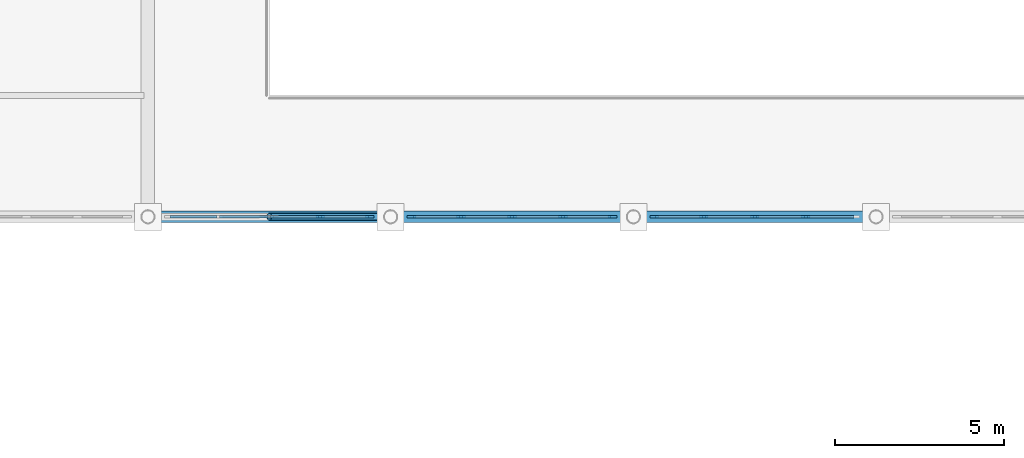
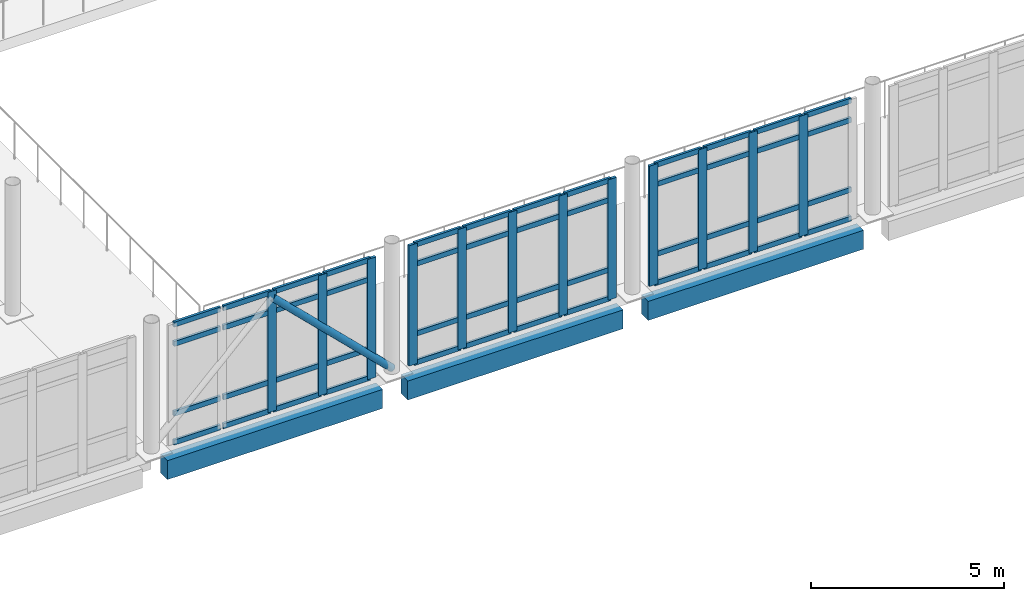
# One storey, part 12 of 62: 61 members, 3 beams, 3 elements without a shape of their own.
"""IFC4 building model written with IfcOpenShell, lengths in metres."""

from ifc_helpers import new_model, si_unit, direction, frame, origin, origin_2d, place, context, subcontext, project, spatial, rectangle, hollow_circle, extrude, material, layer, layer_set, material_profile, profile_set, type_object, element, aggregate, save


model = new_model("IFC4")

# Units and contexts
model_context = context("Model", 3, precision=1e-05, world=origin(), true_north=direction((0.0, 1.0)))
body_context = subcontext(model_context, "Body", "Model", "MODEL_VIEW")
ifc_project = project(units=[si_unit("LENGTHUNIT", "METRE"), si_unit("AREAUNIT", "SQUARE_METRE"), si_unit("VOLUMEUNIT", "CUBIC_METRE"), si_unit("PLANEANGLEUNIT", "RADIAN"), si_unit("MASSUNIT", "GRAM", prefix="KILO")], contexts=[model_context])

# Site, building, storey
site_placement = place(None, origin())
site = spatial("IfcSite", under=ifc_project, at=site_placement, CompositionType="ELEMENT")
building_placement = place(site_placement, origin())
building = spatial("IfcBuilding", under=site, at=building_placement, Name="Valkovuoma Quantum and Materials Research Institute", CompositionType="ELEMENT")
storey_placement = place(building_placement, frame((0.0, 0.0, 8.9599609375)))
storey = spatial("IfcBuildingStorey", under=building, at=storey_placement, Name="L02", CompositionType="ELEMENT", Elevation=8.9599609375)

# Beams
ifc_material_1 = material(Name="Concrete C40/50", Category="concrete")
ifc_material_profile_1 = material_profile(ifc_material_1, rectangle(XDim=0.35009765625, YDim=0.60009765625, at=origin_2d()), Name="Concrete C40/50")
ifc_profile_set_1 = profile_set([ifc_material_profile_1], Name="Concrete C40/50")
beam_type = type_object("IfcBeamType", Name="Beam-B-SPN600", PredefinedType="SPANDREL", material=ifc_profile_set_1)
beam_1_placement = place(storey_placement, frame((43.574951171875, 36.0, -0.64990234375), z_axis=(1.0, 0.0, 0.0), x_axis=(0.0, 1.0, 0.0)))
element("IfcBeam", 1, at=beam_1_placement, inside=storey, type_object=beam_type, Name="L02 beam X-1005", PredefinedType="SPANDREL", context=body_context, shape_type="SweptSolid", body=[
    extrude(rectangle(XDim=0.35009765625, YDim=0.60009765625, at=origin_2d()), origin(), (0.0, 0.0, 1.0), 6.449951171875),
])
beam_2_placement = place(storey_placement, frame((50.77490234375, 36.0, -0.64990234375), z_axis=(1.0, 0.0, 0.0), x_axis=(0.0, 1.0, 0.0)))
element("IfcBeam", 2, at=beam_2_placement, inside=storey, type_object=beam_type, Name="L02 beam X-1006", PredefinedType="SPANDREL", context=body_context, shape_type="SweptSolid", body=[
    extrude(rectangle(XDim=0.35009765625, YDim=0.60009765625, at=origin_2d()), origin(), (0.0, 0.0, 1.0), 6.4501953125),
])
beam_3_placement = place(storey_placement, frame((57.97509765625, 36.0, -0.64990234375), z_axis=(1.0, 0.0, 0.0), x_axis=(0.0, 1.0, 0.0)))
element("IfcBeam", 3, at=beam_3_placement, inside=storey, type_object=beam_type, Name="L02 beam X-1007", PredefinedType="SPANDREL", context=body_context, shape_type="SweptSolid", body=[
    extrude(rectangle(XDim=0.35009765625, YDim=0.60009765625, at=origin_2d()), origin(), (0.0, 0.0, 1.0), 6.449951171875),
])

# Curtain wall, members
ifc_material_2 = material(Name="Thermally broken aluminium and triple low-E glazing", Category="aluminium")
ifc_layer = layer(ifc_material_2, 0.219970703125)
ifc_layer_set = layer_set([ifc_layer], Name="Thermally broken aluminium and triple low-E glazing")
curtain_wall_type = type_object("IfcCurtainWallType", Name="CW-CW-02", PredefinedType="NOTDEFINED", material=ifc_layer_set)
curtain_wall_1_placement = place(storey_placement, origin())
curtain_wall_1 = element("IfcCurtainWall", 4, at=curtain_wall_1_placement, inside=storey, type_object=curtain_wall_type, Name="L02 curtain wall 183", PredefinedType="NOTDEFINED")
ifc_material_3 = material(Name="Anodised aluminium 6060-T66", Category="aluminium")
ifc_material_profile_2 = material_profile(ifc_material_3, rectangle(XDim=0.080078125, YDim=0.260009765625, at=origin_2d()), Name="Anodised aluminium 6060-T66")
ifc_profile_set_2 = profile_set([ifc_material_profile_2], Name="Anodised aluminium 6060-T66")
member_type_1 = type_object("IfcMemberType", Name="CWMull-CWM-03", PredefinedType="MULLION", material=ifc_profile_set_2)
member_1_placement = place(storey_placement, frame((46.800048828125, 36.0, 0.0), z_axis=(0.0, 0.0, 1.0), x_axis=(0.0, 1.0, 0.0)))
member_1 = element("IfcMember", 5, at=member_1_placement, type_object=member_type_1, Name="CW-02 mullion 3", PredefinedType="MULLION", context=body_context, shape_type="SweptSolid", body=[
    extrude(rectangle(XDim=0.080078125, YDim=0.260009765625, at=origin_2d()), origin(), (0.0, 0.0, 1.0), 3.81005859375),
])
member_2_placement = place(storey_placement, frame((48.31005859375, 36.0, 0.0), z_axis=(0.0, 0.0, 1.0), x_axis=(0.0, 1.0, 0.0)))
member_2 = element("IfcMember", 6, at=member_2_placement, type_object=member_type_1, Name="CW-02 mullion 4", PredefinedType="MULLION", context=body_context, shape_type="SweptSolid", body=[
    extrude(rectangle(XDim=0.080078125, YDim=0.260009765625, at=origin_2d()), origin(), (0.0, 0.0, 1.0), 3.81005859375),
])
member_3_placement = place(storey_placement, frame((49.780029296875, 36.0, 0.0), z_axis=(0.0, 0.0, 1.0), x_axis=(0.0, 1.0, 0.0)))
member_3 = element("IfcMember", 7, at=member_3_placement, type_object=member_type_1, Name="CW-02 mullion 5", PredefinedType="MULLION", context=body_context, shape_type="SweptSolid", body=[
    extrude(rectangle(XDim=0.080078125, YDim=0.260009765625, at=origin_2d()), origin(), (0.0, 0.0, 1.0), 3.81005859375),
])

curtain_wall_2_placement = place(storey_placement, origin())
curtain_wall_2 = element("IfcCurtainWall", 8, at=curtain_wall_2_placement, inside=storey, type_object=curtain_wall_type, Name="L02 curtain wall 184", PredefinedType="NOTDEFINED")
member_4_placement = place(storey_placement, frame((51.02001953125, 36.0, 0.0), z_axis=(0.0, 0.0, 1.0), x_axis=(0.0, 1.0, 0.0)))
member_4 = element("IfcMember", 9, at=member_4_placement, type_object=member_type_1, Name="CW-02 mullion 1", PredefinedType="MULLION", context=body_context, shape_type="SweptSolid", body=[
    extrude(rectangle(XDim=0.080078125, YDim=0.260009765625, at=origin_2d()), origin(), (0.0, 0.0, 1.0), 3.81005859375),
])
member_5_placement = place(storey_placement, frame((52.489990234375, 36.0, 0.0), z_axis=(0.0, 0.0, 1.0), x_axis=(0.0, 1.0, 0.0)))
member_5 = element("IfcMember", 10, at=member_5_placement, type_object=member_type_1, Name="CW-02 mullion 2", PredefinedType="MULLION", context=body_context, shape_type="SweptSolid", body=[
    extrude(rectangle(XDim=0.080078125, YDim=0.260009765625, at=origin_2d()), origin(), (0.0, 0.0, 1.0), 3.81005859375),
])
member_6_placement = place(storey_placement, frame((54.0, 36.0, 0.0), z_axis=(0.0, 0.0, 1.0), x_axis=(0.0, 1.0, 0.0)))
member_6 = element("IfcMember", 11, at=member_6_placement, type_object=member_type_1, Name="CW-02 mullion 3", PredefinedType="MULLION", context=body_context, shape_type="SweptSolid", body=[
    extrude(rectangle(XDim=0.080078125, YDim=0.260009765625, at=origin_2d()), origin(), (0.0, 0.0, 1.0), 3.81005859375),
])
member_7_placement = place(storey_placement, frame((55.510009765625, 36.0, 0.0), z_axis=(0.0, 0.0, 1.0), x_axis=(0.0, 1.0, 0.0)))
member_7 = element("IfcMember", 12, at=member_7_placement, type_object=member_type_1, Name="CW-02 mullion 4", PredefinedType="MULLION", context=body_context, shape_type="SweptSolid", body=[
    extrude(rectangle(XDim=0.080078125, YDim=0.260009765625, at=origin_2d()), origin(), (0.0, 0.0, 1.0), 3.81005859375),
])
member_8_placement = place(storey_placement, frame((56.97998046875, 36.0, 0.0), z_axis=(0.0, 0.0, 1.0), x_axis=(0.0, 1.0, 0.0)))
member_8 = element("IfcMember", 13, at=member_8_placement, type_object=member_type_1, Name="CW-02 mullion 5", PredefinedType="MULLION", context=body_context, shape_type="SweptSolid", body=[
    extrude(rectangle(XDim=0.080078125, YDim=0.260009765625, at=origin_2d()), origin(), (0.0, 0.0, 1.0), 3.81005859375),
])

curtain_wall_3_placement = place(storey_placement, origin())
curtain_wall_3 = element("IfcCurtainWall", 14, at=curtain_wall_3_placement, inside=storey, type_object=curtain_wall_type, Name="L02 curtain wall 185", PredefinedType="NOTDEFINED")
member_9_placement = place(storey_placement, frame((58.219970703125, 36.0, 0.0), z_axis=(0.0, 0.0, 1.0), x_axis=(0.0, 1.0, 0.0)))
member_9 = element("IfcMember", 15, at=member_9_placement, type_object=member_type_1, Name="CW-02 mullion 1", PredefinedType="MULLION", context=body_context, shape_type="SweptSolid", body=[
    extrude(rectangle(XDim=0.080078125, YDim=0.260009765625, at=origin_2d()), origin(), (0.0, 0.0, 1.0), 3.81005859375),
])
member_10_placement = place(storey_placement, frame((59.68994140625, 36.0, 0.0), z_axis=(0.0, 0.0, 1.0), x_axis=(0.0, 1.0, 0.0)))
member_10 = element("IfcMember", 16, at=member_10_placement, type_object=member_type_1, Name="CW-02 mullion 2", PredefinedType="MULLION", context=body_context, shape_type="SweptSolid", body=[
    extrude(rectangle(XDim=0.080078125, YDim=0.260009765625, at=origin_2d()), origin(), (0.0, 0.0, 1.0), 3.81005859375),
])
member_11_placement = place(storey_placement, frame((61.199951171875, 36.0, 0.0), z_axis=(0.0, 0.0, 1.0), x_axis=(0.0, 1.0, 0.0)))
member_11 = element("IfcMember", 17, at=member_11_placement, type_object=member_type_1, Name="CW-02 mullion 3", PredefinedType="MULLION", context=body_context, shape_type="SweptSolid", body=[
    extrude(rectangle(XDim=0.080078125, YDim=0.260009765625, at=origin_2d()), origin(), (0.0, 0.0, 1.0), 3.81005859375),
])
member_12_placement = place(storey_placement, frame((62.7099609375, 36.0, 0.0), z_axis=(0.0, 0.0, 1.0), x_axis=(0.0, 1.0, 0.0)))
member_12 = element("IfcMember", 18, at=member_12_placement, type_object=member_type_1, Name="CW-02 mullion 4", PredefinedType="MULLION", context=body_context, shape_type="SweptSolid", body=[
    extrude(rectangle(XDim=0.080078125, YDim=0.260009765625, at=origin_2d()), origin(), (0.0, 0.0, 1.0), 3.81005859375),
])

# Member
ifc_material_4 = material(Name="Anodised aluminium 6060-T66", Category="aluminium")
ifc_material_profile_3 = material_profile(ifc_material_4, rectangle(XDim=0.074951171875, YDim=0.159912109375, at=origin_2d()), Name="Anodised aluminium 6060-T66")
ifc_profile_set_3 = profile_set([ifc_material_profile_3], Name="Anodised aluminium 6060-T66")
member_type_2 = type_object("IfcMemberType", Name="CWTran-CWT-02", PredefinedType="USERDEFINED", material=ifc_profile_set_3)
member_13_placement = place(storey_placement, frame((43.860107421875, 36.0, 0.03759765625), z_axis=(1.0, 0.0, 0.0), x_axis=(0.0, 1.0, 0.0)))
member_13 = element("IfcMember", 19, at=member_13_placement, type_object=member_type_2, Name="CW-02 transom 1.1", ObjectType="TRANSOM", PredefinedType="USERDEFINED", context=body_context, shape_type="SweptSolid", body=[
    extrude(rectangle(XDim=0.074951171875, YDim=0.159912109375, at=origin_2d()), origin(), (0.0, 0.0, 1.0), 1.389892578125),
])

member_14_placement = place(storey_placement, frame((43.860107421875, 36.0, 0.949951171875), z_axis=(1.0, 0.0, 0.0), x_axis=(0.0, 1.0, 0.0)))
member_14 = element("IfcMember", 20, at=member_14_placement, type_object=member_type_2, Name="CW-02 transom 1.2", ObjectType="TRANSOM", PredefinedType="USERDEFINED", context=body_context, shape_type="SweptSolid", body=[
    extrude(rectangle(XDim=0.074951171875, YDim=0.159912109375, at=origin_2d()), origin(), (0.0, 0.0, 1.0), 1.389892578125),
])

member_15_placement = place(storey_placement, frame((43.860107421875, 36.0, 3.16015625), z_axis=(1.0, 0.0, 0.0), x_axis=(0.0, 1.0, 0.0)))
member_15 = element("IfcMember", 21, at=member_15_placement, type_object=member_type_2, Name="CW-02 transom 1.3", ObjectType="TRANSOM", PredefinedType="USERDEFINED", context=body_context, shape_type="SweptSolid", body=[
    extrude(rectangle(XDim=0.074951171875, YDim=0.159912109375, at=origin_2d()), origin(), (0.0, 0.0, 1.0), 1.389892578125),
])

member_16_placement = place(storey_placement, frame((43.860107421875, 36.0, 3.7724609375), z_axis=(1.0, 0.0, 0.0), x_axis=(0.0, 1.0, 0.0)))
member_16 = element("IfcMember", 22, at=member_16_placement, type_object=member_type_2, Name="CW-02 transom 1.4", ObjectType="TRANSOM", PredefinedType="USERDEFINED", context=body_context, shape_type="SweptSolid", body=[
    extrude(rectangle(XDim=0.074951171875, YDim=0.159912109375, at=origin_2d()), origin(), (0.0, 0.0, 1.0), 1.389892578125),
])

member_17_placement = place(storey_placement, frame((45.330078125, 36.0, 0.03759765625), z_axis=(1.0, 0.0, 0.0), x_axis=(0.0, 1.0, 0.0)))
member_17 = element("IfcMember", 23, at=member_17_placement, type_object=member_type_2, Name="CW-02 transom 2.1", ObjectType="TRANSOM", PredefinedType="USERDEFINED", context=body_context, shape_type="SweptSolid", body=[
    extrude(rectangle(XDim=0.074951171875, YDim=0.159912109375, at=origin_2d()), origin(), (0.0, 0.0, 1.0), 1.429931640625),
])

member_18_placement = place(storey_placement, frame((45.330078125, 36.0, 0.949951171875), z_axis=(1.0, 0.0, 0.0), x_axis=(0.0, 1.0, 0.0)))
member_18 = element("IfcMember", 24, at=member_18_placement, type_object=member_type_2, Name="CW-02 transom 2.2", ObjectType="TRANSOM", PredefinedType="USERDEFINED", context=body_context, shape_type="SweptSolid", body=[
    extrude(rectangle(XDim=0.074951171875, YDim=0.159912109375, at=origin_2d()), origin(), (0.0, 0.0, 1.0), 1.429931640625),
])

member_19_placement = place(storey_placement, frame((45.330078125, 36.0, 3.16015625), z_axis=(1.0, 0.0, 0.0), x_axis=(0.0, 1.0, 0.0)))
member_19 = element("IfcMember", 25, at=member_19_placement, type_object=member_type_2, Name="CW-02 transom 2.3", ObjectType="TRANSOM", PredefinedType="USERDEFINED", context=body_context, shape_type="SweptSolid", body=[
    extrude(rectangle(XDim=0.074951171875, YDim=0.159912109375, at=origin_2d()), origin(), (0.0, 0.0, 1.0), 1.429931640625),
])

member_20_placement = place(storey_placement, frame((45.330078125, 36.0, 3.7724609375), z_axis=(1.0, 0.0, 0.0), x_axis=(0.0, 1.0, 0.0)))
member_20 = element("IfcMember", 26, at=member_20_placement, type_object=member_type_2, Name="CW-02 transom 2.4", ObjectType="TRANSOM", PredefinedType="USERDEFINED", context=body_context, shape_type="SweptSolid", body=[
    extrude(rectangle(XDim=0.074951171875, YDim=0.159912109375, at=origin_2d()), origin(), (0.0, 0.0, 1.0), 1.429931640625),
])

member_21_placement = place(storey_placement, frame((46.840087890625, 36.0, 0.03759765625), z_axis=(1.0, 0.0, 0.0), x_axis=(0.0, 1.0, 0.0)))
member_21 = element("IfcMember", 27, at=member_21_placement, type_object=member_type_2, Name="CW-02 transom 3.1", ObjectType="TRANSOM", PredefinedType="USERDEFINED", context=body_context, shape_type="SweptSolid", body=[
    extrude(rectangle(XDim=0.074951171875, YDim=0.159912109375, at=origin_2d()), origin(), (0.0, 0.0, 1.0), 1.429931640625),
])

member_22_placement = place(storey_placement, frame((46.840087890625, 36.0, 0.949951171875), z_axis=(1.0, 0.0, 0.0), x_axis=(0.0, 1.0, 0.0)))
member_22 = element("IfcMember", 28, at=member_22_placement, type_object=member_type_2, Name="CW-02 transom 3.2", ObjectType="TRANSOM", PredefinedType="USERDEFINED", context=body_context, shape_type="SweptSolid", body=[
    extrude(rectangle(XDim=0.074951171875, YDim=0.159912109375, at=origin_2d()), origin(), (0.0, 0.0, 1.0), 1.429931640625),
])

member_23_placement = place(storey_placement, frame((46.840087890625, 36.0, 3.16015625), z_axis=(1.0, 0.0, 0.0), x_axis=(0.0, 1.0, 0.0)))
member_23 = element("IfcMember", 29, at=member_23_placement, type_object=member_type_2, Name="CW-02 transom 3.3", ObjectType="TRANSOM", PredefinedType="USERDEFINED", context=body_context, shape_type="SweptSolid", body=[
    extrude(rectangle(XDim=0.074951171875, YDim=0.159912109375, at=origin_2d()), origin(), (0.0, 0.0, 1.0), 1.429931640625),
])

member_24_placement = place(storey_placement, frame((46.840087890625, 36.0, 3.7724609375), z_axis=(1.0, 0.0, 0.0), x_axis=(0.0, 1.0, 0.0)))
member_24 = element("IfcMember", 30, at=member_24_placement, type_object=member_type_2, Name="CW-02 transom 3.4", ObjectType="TRANSOM", PredefinedType="USERDEFINED", context=body_context, shape_type="SweptSolid", body=[
    extrude(rectangle(XDim=0.074951171875, YDim=0.159912109375, at=origin_2d()), origin(), (0.0, 0.0, 1.0), 1.429931640625),
])

member_25_placement = place(storey_placement, frame((48.35009765625, 36.0, 0.03759765625), z_axis=(1.0, 0.0, 0.0), x_axis=(0.0, 1.0, 0.0)))
member_25 = element("IfcMember", 31, at=member_25_placement, type_object=member_type_2, Name="CW-02 transom 4.1", ObjectType="TRANSOM", PredefinedType="USERDEFINED", context=body_context, shape_type="SweptSolid", body=[
    extrude(rectangle(XDim=0.074951171875, YDim=0.159912109375, at=origin_2d()), origin(), (0.0, 0.0, 1.0), 1.389892578125),
])

member_26_placement = place(storey_placement, frame((48.35009765625, 36.0, 0.949951171875), z_axis=(1.0, 0.0, 0.0), x_axis=(0.0, 1.0, 0.0)))
member_26 = element("IfcMember", 32, at=member_26_placement, type_object=member_type_2, Name="CW-02 transom 4.2", ObjectType="TRANSOM", PredefinedType="USERDEFINED", context=body_context, shape_type="SweptSolid", body=[
    extrude(rectangle(XDim=0.074951171875, YDim=0.159912109375, at=origin_2d()), origin(), (0.0, 0.0, 1.0), 1.389892578125),
])

member_27_placement = place(storey_placement, frame((48.35009765625, 36.0, 3.16015625), z_axis=(1.0, 0.0, 0.0), x_axis=(0.0, 1.0, 0.0)))
member_27 = element("IfcMember", 33, at=member_27_placement, type_object=member_type_2, Name="CW-02 transom 4.3", ObjectType="TRANSOM", PredefinedType="USERDEFINED", context=body_context, shape_type="SweptSolid", body=[
    extrude(rectangle(XDim=0.074951171875, YDim=0.159912109375, at=origin_2d()), origin(), (0.0, 0.0, 1.0), 1.389892578125),
])

member_28_placement = place(storey_placement, frame((48.35009765625, 36.0, 3.7724609375), z_axis=(1.0, 0.0, 0.0), x_axis=(0.0, 1.0, 0.0)))
member_28 = element("IfcMember", 34, at=member_28_placement, type_object=member_type_2, Name="CW-02 transom 4.4", ObjectType="TRANSOM", PredefinedType="USERDEFINED", context=body_context, shape_type="SweptSolid", body=[
    extrude(rectangle(XDim=0.074951171875, YDim=0.159912109375, at=origin_2d()), origin(), (0.0, 0.0, 1.0), 1.389892578125),
])

aggregate(curtain_wall_1, [member_1, member_2, member_3, member_13, member_14, member_15, member_16, member_17, member_18, member_19, member_20, member_21, member_22, member_23, member_24, member_25, member_26, member_27, member_28])

member_29_placement = place(storey_placement, frame((51.06005859375, 36.0, 0.03759765625), z_axis=(1.0, 0.0, 0.0), x_axis=(0.0, 1.0, 0.0)))
member_29 = element("IfcMember", 35, at=member_29_placement, type_object=member_type_2, Name="CW-02 transom 1.1", ObjectType="TRANSOM", PredefinedType="USERDEFINED", context=body_context, shape_type="SweptSolid", body=[
    extrude(rectangle(XDim=0.074951171875, YDim=0.159912109375, at=origin_2d()), origin(), (0.0, 0.0, 1.0), 1.389892578125),
])

member_30_placement = place(storey_placement, frame((51.06005859375, 36.0, 0.949951171875), z_axis=(1.0, 0.0, 0.0), x_axis=(0.0, 1.0, 0.0)))
member_30 = element("IfcMember", 36, at=member_30_placement, type_object=member_type_2, Name="CW-02 transom 1.2", ObjectType="TRANSOM", PredefinedType="USERDEFINED", context=body_context, shape_type="SweptSolid", body=[
    extrude(rectangle(XDim=0.074951171875, YDim=0.159912109375, at=origin_2d()), origin(), (0.0, 0.0, 1.0), 1.389892578125),
])

member_31_placement = place(storey_placement, frame((51.06005859375, 36.0, 3.16015625), z_axis=(1.0, 0.0, 0.0), x_axis=(0.0, 1.0, 0.0)))
member_31 = element("IfcMember", 37, at=member_31_placement, type_object=member_type_2, Name="CW-02 transom 1.3", ObjectType="TRANSOM", PredefinedType="USERDEFINED", context=body_context, shape_type="SweptSolid", body=[
    extrude(rectangle(XDim=0.074951171875, YDim=0.159912109375, at=origin_2d()), origin(), (0.0, 0.0, 1.0), 1.389892578125),
])

member_32_placement = place(storey_placement, frame((51.06005859375, 36.0, 3.7724609375), z_axis=(1.0, 0.0, 0.0), x_axis=(0.0, 1.0, 0.0)))
member_32 = element("IfcMember", 38, at=member_32_placement, type_object=member_type_2, Name="CW-02 transom 1.4", ObjectType="TRANSOM", PredefinedType="USERDEFINED", context=body_context, shape_type="SweptSolid", body=[
    extrude(rectangle(XDim=0.074951171875, YDim=0.159912109375, at=origin_2d()), origin(), (0.0, 0.0, 1.0), 1.389892578125),
])

member_33_placement = place(storey_placement, frame((52.530029296875, 36.0, 0.03759765625), z_axis=(1.0, 0.0, 0.0), x_axis=(0.0, 1.0, 0.0)))
member_33 = element("IfcMember", 39, at=member_33_placement, type_object=member_type_2, Name="CW-02 transom 2.1", ObjectType="TRANSOM", PredefinedType="USERDEFINED", context=body_context, shape_type="SweptSolid", body=[
    extrude(rectangle(XDim=0.074951171875, YDim=0.159912109375, at=origin_2d()), origin(), (0.0, 0.0, 1.0), 1.429931640625),
])

member_34_placement = place(storey_placement, frame((52.530029296875, 36.0, 0.949951171875), z_axis=(1.0, 0.0, 0.0), x_axis=(0.0, 1.0, 0.0)))
member_34 = element("IfcMember", 40, at=member_34_placement, type_object=member_type_2, Name="CW-02 transom 2.2", ObjectType="TRANSOM", PredefinedType="USERDEFINED", context=body_context, shape_type="SweptSolid", body=[
    extrude(rectangle(XDim=0.074951171875, YDim=0.159912109375, at=origin_2d()), origin(), (0.0, 0.0, 1.0), 1.429931640625),
])

member_35_placement = place(storey_placement, frame((52.530029296875, 36.0, 3.16015625), z_axis=(1.0, 0.0, 0.0), x_axis=(0.0, 1.0, 0.0)))
member_35 = element("IfcMember", 41, at=member_35_placement, type_object=member_type_2, Name="CW-02 transom 2.3", ObjectType="TRANSOM", PredefinedType="USERDEFINED", context=body_context, shape_type="SweptSolid", body=[
    extrude(rectangle(XDim=0.074951171875, YDim=0.159912109375, at=origin_2d()), origin(), (0.0, 0.0, 1.0), 1.429931640625),
])

member_36_placement = place(storey_placement, frame((52.530029296875, 36.0, 3.7724609375), z_axis=(1.0, 0.0, 0.0), x_axis=(0.0, 1.0, 0.0)))
member_36 = element("IfcMember", 42, at=member_36_placement, type_object=member_type_2, Name="CW-02 transom 2.4", ObjectType="TRANSOM", PredefinedType="USERDEFINED", context=body_context, shape_type="SweptSolid", body=[
    extrude(rectangle(XDim=0.074951171875, YDim=0.159912109375, at=origin_2d()), origin(), (0.0, 0.0, 1.0), 1.429931640625),
])

member_37_placement = place(storey_placement, frame((54.0400390625, 36.0, 0.03759765625), z_axis=(1.0, 0.0, 0.0), x_axis=(0.0, 1.0, 0.0)))
member_37 = element("IfcMember", 43, at=member_37_placement, type_object=member_type_2, Name="CW-02 transom 3.1", ObjectType="TRANSOM", PredefinedType="USERDEFINED", context=body_context, shape_type="SweptSolid", body=[
    extrude(rectangle(XDim=0.074951171875, YDim=0.159912109375, at=origin_2d()), origin(), (0.0, 0.0, 1.0), 1.429931640625),
])

member_38_placement = place(storey_placement, frame((54.0400390625, 36.0, 0.949951171875), z_axis=(1.0, 0.0, 0.0), x_axis=(0.0, 1.0, 0.0)))
member_38 = element("IfcMember", 44, at=member_38_placement, type_object=member_type_2, Name="CW-02 transom 3.2", ObjectType="TRANSOM", PredefinedType="USERDEFINED", context=body_context, shape_type="SweptSolid", body=[
    extrude(rectangle(XDim=0.074951171875, YDim=0.159912109375, at=origin_2d()), origin(), (0.0, 0.0, 1.0), 1.429931640625),
])

member_39_placement = place(storey_placement, frame((54.0400390625, 36.0, 3.16015625), z_axis=(1.0, 0.0, 0.0), x_axis=(0.0, 1.0, 0.0)))
member_39 = element("IfcMember", 45, at=member_39_placement, type_object=member_type_2, Name="CW-02 transom 3.3", ObjectType="TRANSOM", PredefinedType="USERDEFINED", context=body_context, shape_type="SweptSolid", body=[
    extrude(rectangle(XDim=0.074951171875, YDim=0.159912109375, at=origin_2d()), origin(), (0.0, 0.0, 1.0), 1.429931640625),
])

member_40_placement = place(storey_placement, frame((54.0400390625, 36.0, 3.7724609375), z_axis=(1.0, 0.0, 0.0), x_axis=(0.0, 1.0, 0.0)))
member_40 = element("IfcMember", 46, at=member_40_placement, type_object=member_type_2, Name="CW-02 transom 3.4", ObjectType="TRANSOM", PredefinedType="USERDEFINED", context=body_context, shape_type="SweptSolid", body=[
    extrude(rectangle(XDim=0.074951171875, YDim=0.159912109375, at=origin_2d()), origin(), (0.0, 0.0, 1.0), 1.429931640625),
])

member_41_placement = place(storey_placement, frame((55.550048828125, 36.0, 0.03759765625), z_axis=(1.0, 0.0, 0.0), x_axis=(0.0, 1.0, 0.0)))
member_41 = element("IfcMember", 47, at=member_41_placement, type_object=member_type_2, Name="CW-02 transom 4.1", ObjectType="TRANSOM", PredefinedType="USERDEFINED", context=body_context, shape_type="SweptSolid", body=[
    extrude(rectangle(XDim=0.074951171875, YDim=0.159912109375, at=origin_2d()), origin(), (0.0, 0.0, 1.0), 1.389892578125),
])

member_42_placement = place(storey_placement, frame((55.550048828125, 36.0, 0.949951171875), z_axis=(1.0, 0.0, 0.0), x_axis=(0.0, 1.0, 0.0)))
member_42 = element("IfcMember", 48, at=member_42_placement, type_object=member_type_2, Name="CW-02 transom 4.2", ObjectType="TRANSOM", PredefinedType="USERDEFINED", context=body_context, shape_type="SweptSolid", body=[
    extrude(rectangle(XDim=0.074951171875, YDim=0.159912109375, at=origin_2d()), origin(), (0.0, 0.0, 1.0), 1.389892578125),
])

member_43_placement = place(storey_placement, frame((55.550048828125, 36.0, 3.16015625), z_axis=(1.0, 0.0, 0.0), x_axis=(0.0, 1.0, 0.0)))
member_43 = element("IfcMember", 49, at=member_43_placement, type_object=member_type_2, Name="CW-02 transom 4.3", ObjectType="TRANSOM", PredefinedType="USERDEFINED", context=body_context, shape_type="SweptSolid", body=[
    extrude(rectangle(XDim=0.074951171875, YDim=0.159912109375, at=origin_2d()), origin(), (0.0, 0.0, 1.0), 1.389892578125),
])

member_44_placement = place(storey_placement, frame((55.550048828125, 36.0, 3.7724609375), z_axis=(1.0, 0.0, 0.0), x_axis=(0.0, 1.0, 0.0)))
member_44 = element("IfcMember", 50, at=member_44_placement, type_object=member_type_2, Name="CW-02 transom 4.4", ObjectType="TRANSOM", PredefinedType="USERDEFINED", context=body_context, shape_type="SweptSolid", body=[
    extrude(rectangle(XDim=0.074951171875, YDim=0.159912109375, at=origin_2d()), origin(), (0.0, 0.0, 1.0), 1.389892578125),
])

aggregate(curtain_wall_2, [member_4, member_5, member_6, member_7, member_8, member_29, member_30, member_31, member_32, member_33, member_34, member_35, member_36, member_37, member_38, member_39, member_40, member_41, member_42, member_43, member_44])

member_45_placement = place(storey_placement, frame((58.260009765625, 36.0, 0.03759765625), z_axis=(1.0, 0.0, 0.0), x_axis=(0.0, 1.0, 0.0)))
member_45 = element("IfcMember", 51, at=member_45_placement, type_object=member_type_2, Name="CW-02 transom 1.1", ObjectType="TRANSOM", PredefinedType="USERDEFINED", context=body_context, shape_type="SweptSolid", body=[
    extrude(rectangle(XDim=0.074951171875, YDim=0.159912109375, at=origin_2d()), origin(), (0.0, 0.0, 1.0), 1.389892578125),
])

member_46_placement = place(storey_placement, frame((58.260009765625, 36.0, 0.949951171875), z_axis=(1.0, 0.0, 0.0), x_axis=(0.0, 1.0, 0.0)))
member_46 = element("IfcMember", 52, at=member_46_placement, type_object=member_type_2, Name="CW-02 transom 1.2", ObjectType="TRANSOM", PredefinedType="USERDEFINED", context=body_context, shape_type="SweptSolid", body=[
    extrude(rectangle(XDim=0.074951171875, YDim=0.159912109375, at=origin_2d()), origin(), (0.0, 0.0, 1.0), 1.389892578125),
])

member_47_placement = place(storey_placement, frame((58.260009765625, 36.0, 3.16015625), z_axis=(1.0, 0.0, 0.0), x_axis=(0.0, 1.0, 0.0)))
member_47 = element("IfcMember", 53, at=member_47_placement, type_object=member_type_2, Name="CW-02 transom 1.3", ObjectType="TRANSOM", PredefinedType="USERDEFINED", context=body_context, shape_type="SweptSolid", body=[
    extrude(rectangle(XDim=0.074951171875, YDim=0.159912109375, at=origin_2d()), origin(), (0.0, 0.0, 1.0), 1.389892578125),
])

member_48_placement = place(storey_placement, frame((58.260009765625, 36.0, 3.7724609375), z_axis=(1.0, 0.0, 0.0), x_axis=(0.0, 1.0, 0.0)))
member_48 = element("IfcMember", 54, at=member_48_placement, type_object=member_type_2, Name="CW-02 transom 1.4", ObjectType="TRANSOM", PredefinedType="USERDEFINED", context=body_context, shape_type="SweptSolid", body=[
    extrude(rectangle(XDim=0.074951171875, YDim=0.159912109375, at=origin_2d()), origin(), (0.0, 0.0, 1.0), 1.389892578125),
])

member_49_placement = place(storey_placement, frame((59.72998046875, 36.0, 0.03759765625), z_axis=(1.0, 0.0, 0.0), x_axis=(0.0, 1.0, 0.0)))
member_49 = element("IfcMember", 55, at=member_49_placement, type_object=member_type_2, Name="CW-02 transom 2.1", ObjectType="TRANSOM", PredefinedType="USERDEFINED", context=body_context, shape_type="SweptSolid", body=[
    extrude(rectangle(XDim=0.074951171875, YDim=0.159912109375, at=origin_2d()), origin(), (0.0, 0.0, 1.0), 1.429931640625),
])

member_50_placement = place(storey_placement, frame((59.72998046875, 36.0, 0.949951171875), z_axis=(1.0, 0.0, 0.0), x_axis=(0.0, 1.0, 0.0)))
member_50 = element("IfcMember", 56, at=member_50_placement, type_object=member_type_2, Name="CW-02 transom 2.2", ObjectType="TRANSOM", PredefinedType="USERDEFINED", context=body_context, shape_type="SweptSolid", body=[
    extrude(rectangle(XDim=0.074951171875, YDim=0.159912109375, at=origin_2d()), origin(), (0.0, 0.0, 1.0), 1.429931640625),
])

member_51_placement = place(storey_placement, frame((59.72998046875, 36.0, 3.16015625), z_axis=(1.0, 0.0, 0.0), x_axis=(0.0, 1.0, 0.0)))
member_51 = element("IfcMember", 57, at=member_51_placement, type_object=member_type_2, Name="CW-02 transom 2.3", ObjectType="TRANSOM", PredefinedType="USERDEFINED", context=body_context, shape_type="SweptSolid", body=[
    extrude(rectangle(XDim=0.074951171875, YDim=0.159912109375, at=origin_2d()), origin(), (0.0, 0.0, 1.0), 1.429931640625),
])

member_52_placement = place(storey_placement, frame((59.72998046875, 36.0, 3.7724609375), z_axis=(1.0, 0.0, 0.0), x_axis=(0.0, 1.0, 0.0)))
member_52 = element("IfcMember", 58, at=member_52_placement, type_object=member_type_2, Name="CW-02 transom 2.4", ObjectType="TRANSOM", PredefinedType="USERDEFINED", context=body_context, shape_type="SweptSolid", body=[
    extrude(rectangle(XDim=0.074951171875, YDim=0.159912109375, at=origin_2d()), origin(), (0.0, 0.0, 1.0), 1.429931640625),
])

member_53_placement = place(storey_placement, frame((61.239990234375, 36.0, 0.03759765625), z_axis=(1.0, 0.0, 0.0), x_axis=(0.0, 1.0, 0.0)))
member_53 = element("IfcMember", 59, at=member_53_placement, type_object=member_type_2, Name="CW-02 transom 3.1", ObjectType="TRANSOM", PredefinedType="USERDEFINED", context=body_context, shape_type="SweptSolid", body=[
    extrude(rectangle(XDim=0.074951171875, YDim=0.159912109375, at=origin_2d()), origin(), (0.0, 0.0, 1.0), 1.429931640625),
])

member_54_placement = place(storey_placement, frame((61.239990234375, 36.0, 0.949951171875), z_axis=(1.0, 0.0, 0.0), x_axis=(0.0, 1.0, 0.0)))
member_54 = element("IfcMember", 60, at=member_54_placement, type_object=member_type_2, Name="CW-02 transom 3.2", ObjectType="TRANSOM", PredefinedType="USERDEFINED", context=body_context, shape_type="SweptSolid", body=[
    extrude(rectangle(XDim=0.074951171875, YDim=0.159912109375, at=origin_2d()), origin(), (0.0, 0.0, 1.0), 1.429931640625),
])

member_55_placement = place(storey_placement, frame((61.239990234375, 36.0, 3.16015625), z_axis=(1.0, 0.0, 0.0), x_axis=(0.0, 1.0, 0.0)))
member_55 = element("IfcMember", 61, at=member_55_placement, type_object=member_type_2, Name="CW-02 transom 3.3", ObjectType="TRANSOM", PredefinedType="USERDEFINED", context=body_context, shape_type="SweptSolid", body=[
    extrude(rectangle(XDim=0.074951171875, YDim=0.159912109375, at=origin_2d()), origin(), (0.0, 0.0, 1.0), 1.429931640625),
])

member_56_placement = place(storey_placement, frame((61.239990234375, 36.0, 3.7724609375), z_axis=(1.0, 0.0, 0.0), x_axis=(0.0, 1.0, 0.0)))
member_56 = element("IfcMember", 62, at=member_56_placement, type_object=member_type_2, Name="CW-02 transom 3.4", ObjectType="TRANSOM", PredefinedType="USERDEFINED", context=body_context, shape_type="SweptSolid", body=[
    extrude(rectangle(XDim=0.074951171875, YDim=0.159912109375, at=origin_2d()), origin(), (0.0, 0.0, 1.0), 1.429931640625),
])

member_57_placement = place(storey_placement, frame((62.75, 36.0, 0.03759765625), z_axis=(1.0, 0.0, 0.0), x_axis=(0.0, 1.0, 0.0)))
member_57 = element("IfcMember", 63, at=member_57_placement, type_object=member_type_2, Name="CW-02 transom 4.1", ObjectType="TRANSOM", PredefinedType="USERDEFINED", context=body_context, shape_type="SweptSolid", body=[
    extrude(rectangle(XDim=0.074951171875, YDim=0.159912109375, at=origin_2d()), origin(), (0.0, 0.0, 1.0), 1.389892578125),
])

member_58_placement = place(storey_placement, frame((62.75, 36.0, 0.949951171875), z_axis=(1.0, 0.0, 0.0), x_axis=(0.0, 1.0, 0.0)))
member_58 = element("IfcMember", 64, at=member_58_placement, type_object=member_type_2, Name="CW-02 transom 4.2", ObjectType="TRANSOM", PredefinedType="USERDEFINED", context=body_context, shape_type="SweptSolid", body=[
    extrude(rectangle(XDim=0.074951171875, YDim=0.159912109375, at=origin_2d()), origin(), (0.0, 0.0, 1.0), 1.389892578125),
])

member_59_placement = place(storey_placement, frame((62.75, 36.0, 3.16015625), z_axis=(1.0, 0.0, 0.0), x_axis=(0.0, 1.0, 0.0)))
member_59 = element("IfcMember", 65, at=member_59_placement, type_object=member_type_2, Name="CW-02 transom 4.3", ObjectType="TRANSOM", PredefinedType="USERDEFINED", context=body_context, shape_type="SweptSolid", body=[
    extrude(rectangle(XDim=0.074951171875, YDim=0.159912109375, at=origin_2d()), origin(), (0.0, 0.0, 1.0), 1.389892578125),
])

member_60_placement = place(storey_placement, frame((62.75, 36.0, 3.7724609375), z_axis=(1.0, 0.0, 0.0), x_axis=(0.0, 1.0, 0.0)))
member_60 = element("IfcMember", 66, at=member_60_placement, type_object=member_type_2, Name="CW-02 transom 4.4", ObjectType="TRANSOM", PredefinedType="USERDEFINED", context=body_context, shape_type="SweptSolid", body=[
    extrude(rectangle(XDim=0.074951171875, YDim=0.159912109375, at=origin_2d()), origin(), (0.0, 0.0, 1.0), 1.389892578125),
])

aggregate(curtain_wall_3, [member_9, member_10, member_11, member_12, member_45, member_46, member_47, member_48, member_49, member_50, member_51, member_52, member_53, member_54, member_55, member_56, member_57, member_58, member_59, member_60])

ifc_material_5 = material(Name="Steel S355J2H", Category="steel")
ifc_material_profile_4 = material_profile(ifc_material_5, hollow_circle(Radius=0.109619140625, WallThickness=0.010009765625, at=origin_2d()), Name="Steel S355J2H")
ifc_profile_set_4 = profile_set([ifc_material_profile_4], Name="Steel S355J2H")
member_type_3 = type_object("IfcMemberType", Name="Mem-M-BRC219", PredefinedType="BRACE", material=ifc_profile_set_4)
member_61_placement = place(storey_placement, frame((50.39990234375, 36.0, 0.10009765625), z_axis=(-0.715984969996, 0.0, 0.69811569438), x_axis=(0.0, -1.0, 0.0)))
element("IfcMember", 67, at=member_61_placement, inside=storey, type_object=member_type_3, Name="L02 chevron wind brace 03B", PredefinedType="BRACE", context=body_context, shape_type="SweptSolid", body=[
    extrude(hollow_circle(Radius=0.109619140625, WallThickness=0.010009765625, at=origin_2d()), origin(), (0.0, 0.0, 1.0), 5.02783203125),
])

save(model, "model.ifc")
